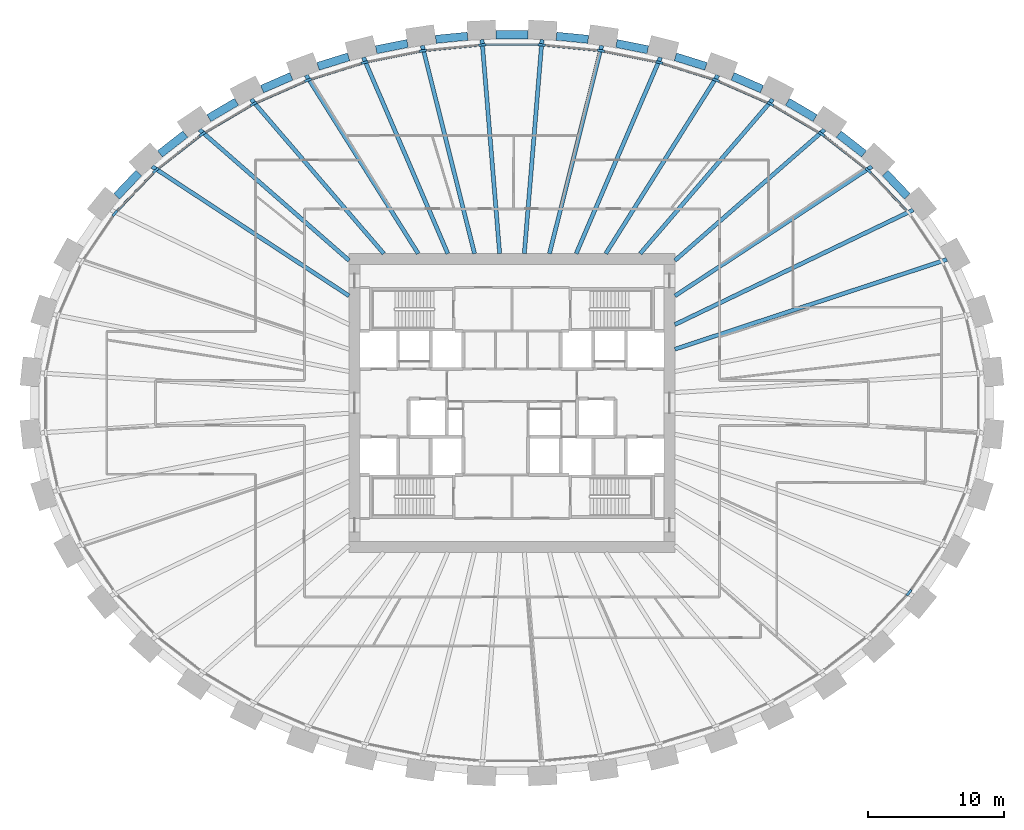
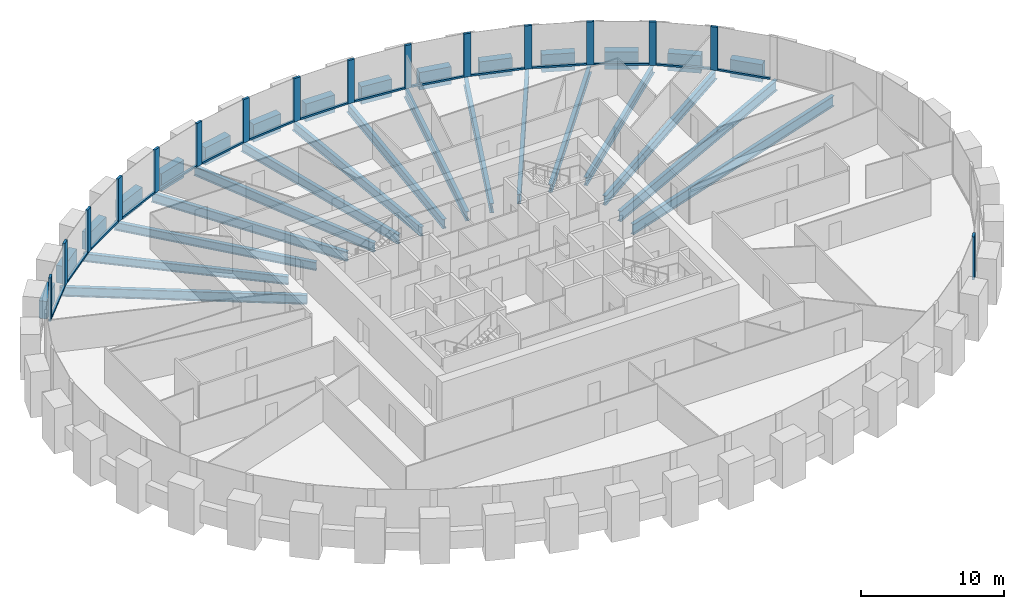
# One storey, part 3 of 11: 31 beams, 31 members, 1 element without a shape of its own.
"""IFC4 building model written with IfcOpenShell, lengths in metres."""

from ifc_helpers import new_model, si_unit, direction, frame, origin, origin_2d, place, context, subcontext, project, spatial, rectangle, i_section, extrude, source, transform, mapped, material, material_profile, profile_set, type_object, element, aggregate, save


model = new_model("IFC4")

# Units and contexts
model_context = context("Model", 3, precision=1e-05, world=origin(), true_north=direction((0.0, 1.0)))
body_context = subcontext(model_context, "Body", "Model", "MODEL_VIEW")
ifc_project = project(units=[si_unit("LENGTHUNIT", "METRE"), si_unit("AREAUNIT", "SQUARE_METRE"), si_unit("VOLUMEUNIT", "CUBIC_METRE"), si_unit("PLANEANGLEUNIT", "RADIAN"), si_unit("MASSUNIT", "GRAM", prefix="KILO")], contexts=[model_context])

# Site, building, storey
site_placement = place(None, origin())
site = spatial("IfcSite", under=ifc_project, at=site_placement, CompositionType="ELEMENT")
building_placement = place(site_placement, origin())
building = spatial("IfcBuilding", under=site, at=building_placement, Name="Embergate Tower", CompositionType="ELEMENT")
storey_placement = place(building_placement, frame((0.0, 0.0, 215.10009765625)))
storey = spatial("IfcBuildingStorey", under=building, at=storey_placement, Name="L49", CompositionType="ELEMENT", Elevation=215.10009765625)

# Beams
ifc_material_1 = material(Name="Concrete C60", Category="concrete")
ifc_material_profile_1 = material_profile(ifc_material_1, rectangle(XDim=0.60009765625, YDim=1.5, at=origin_2d()), Name="RC 600x1500")
ifc_profile_set_1 = profile_set([ifc_material_profile_1], Name="Concrete C60")
beam_type_1 = type_object("IfcBeamType", Name="Spandrel beam RC 600x1500 C60", PredefinedType="BEAM", material=ifc_profile_set_1)
shared_shape_1 = source(origin(), body_context, "Body", "SweptSolid", [
    extrude(rectangle(XDim=0.60009765625, YDim=1.5, at=origin_2d()), origin(), (0.0, 0.0, 1.0), 2.370849609375),
])
for number, where, z_axis, x_axis, name in (
    (1, (29.1240234375, 15.220947265625, 0.0), (-0.690017631866, 0.723792558482, 0.0), (-0.723792558482, -0.690017631866, 0.0), "SPN-L49-03"),
    (2, (-27.488037109375, 16.93701171875, 0.0), (-0.690017631866, -0.723792558482, 0.0), (0.723792558482, -0.690017631866, 0.0), "SPN-L49-17"),
):
    element("IfcBeam", number, at=place(storey_placement, frame(where, z_axis=z_axis, x_axis=x_axis)), inside=storey, type_object=beam_type_1, Name=name, PredefinedType="BEAM", context=body_context, shape_type="MappedRepresentation", body=[
        mapped(shared_shape_1, transform((0.0, 0.0, 0.0))),
    ])
shared_shape_2 = source(origin(), body_context, "Body", "SweptSolid", [
    extrude(rectangle(XDim=0.60009765625, YDim=1.5, at=origin_2d()), origin(), (0.0, 0.0, 1.0), 2.366943359375),
])
for number, where, z_axis, x_axis, name in (
    (3, (25.931884765625, 18.345947265625, 0.0), (-0.788379233054, 0.615189552, 0.0), (-0.615189552, -0.788379233054, 0.0), "SPN-L49-04"),
    (4, (-24.06591796875, 19.802001953125, 0.0), (-0.788379233054, -0.615189552, 0.0), (0.615189552, -0.788379233054, 0.0), "SPN-L49-16"),
):
    element("IfcBeam", number, at=place(storey_placement, frame(where, z_axis=z_axis, x_axis=x_axis)), inside=storey, type_object=beam_type_1, Name=name, PredefinedType="BEAM", context=body_context, shape_type="MappedRepresentation", body=[
        mapped(shared_shape_2, transform((0.0, 0.0, 0.0))),
    ])
shared_shape_3 = source(origin(), body_context, "Body", "SweptSolid", [
    extrude(rectangle(XDim=0.60009765625, YDim=1.5, at=origin_2d()), origin(), (0.0, 0.0, 1.0), 2.36279296875),
])
for number, where, z_axis, x_axis, name in (
    (5, (22.3291015625, 20.98291015625, 0.0), (-0.862170527893, 0.50661818052, 0.0), (-0.50661818052, -0.862170527893, 0.0), "SPN-L49-05"),
    (6, (-20.2919921875, 22.179931640625, 0.0), (-0.862170527893, -0.50661818052, 0.0), (0.50661818052, -0.862170527893, 0.0), "SPN-L49-15"),
):
    element("IfcBeam", number, at=place(storey_placement, frame(where, z_axis=z_axis, x_axis=x_axis)), inside=storey, type_object=beam_type_1, Name=name, PredefinedType="BEAM", context=body_context, shape_type="MappedRepresentation", body=[
        mapped(shared_shape_3, transform((0.0, 0.0, 0.0))),
    ])
shared_shape_4 = source(origin(), body_context, "Body", "SweptSolid", [
    extrude(rectangle(XDim=0.60009765625, YDim=1.5, at=origin_2d()), origin(), (0.0, 0.0, 1.0), 2.357421875),
])
for number, where, z_axis, x_axis, name in (
    (7, (18.4130859375, 23.116943359375, 0.0), (-0.91630938503, 0.400471111201, 0.0), (-0.400471111201, -0.91630938503, 0.0), "SPN-L49-06"),
    (8, (-16.2529296875, 24.06103515625, 0.0), (-0.91630938503, -0.400471111201, 0.0), (0.400471111201, -0.91630938503, 0.0), "SPN-L49-14"),
):
    element("IfcBeam", number, at=place(storey_placement, frame(where, z_axis=z_axis, x_axis=x_axis)), inside=storey, type_object=beam_type_1, Name=name, PredefinedType="BEAM", context=body_context, shape_type="MappedRepresentation", body=[
        mapped(shared_shape_4, transform((0.0, 0.0, 0.0))),
    ])
shared_shape_5 = source(origin(), body_context, "Body", "SweptSolid", [
    extrude(rectangle(XDim=0.60009765625, YDim=1.5, at=origin_2d()), origin(), (0.0, 0.0, 1.0), 2.3564453125),
])
for number, where, z_axis, x_axis, name in (
    (9, (14.285888671875, 24.7958984375, 0.0), (-0.95483326256, 0.297142122073, 0.0), (-0.297142122073, -0.95483326256, 0.0), "SPN-L49-07"),
    (10, (-12.035888671875, 25.49609375, 0.0), (-0.95483326256, -0.297142122073, 0.0), (0.297142122073, -0.95483326256, 0.0), "SPN-L49-13"),
):
    element("IfcBeam", number, at=place(storey_placement, frame(where, z_axis=z_axis, x_axis=x_axis)), inside=storey, type_object=beam_type_1, Name=name, PredefinedType="BEAM", context=body_context, shape_type="MappedRepresentation", body=[
        mapped(shared_shape_5, transform((0.0, 0.0, 0.0))),
    ])
shared_shape_6 = source(origin(), body_context, "Body", "SweptSolid", [
    extrude(rectangle(XDim=0.60009765625, YDim=1.5, at=origin_2d()), origin(), (0.0, 0.0, 1.0), 2.353515625),
])
for number, where, z_axis, x_axis, name in (
    (11, (10.0009765625, 26.01611328125, 0.0), (-0.980552738639, 0.196255768698, 0.0), (-0.196255768698, -0.980552738639, 0.0), "SPN-L49-08"),
    (12, (-7.693115234375, 26.47802734375, 0.0), (-0.980552738639, -0.196255768698, 0.0), (0.196255768698, -0.980552738639, 0.0), "SPN-L49-12"),
):
    element("IfcBeam", number, at=place(storey_placement, frame(where, z_axis=z_axis, x_axis=x_axis)), inside=storey, type_object=beam_type_1, Name=name, PredefinedType="BEAM", context=body_context, shape_type="MappedRepresentation", body=[
        mapped(shared_shape_6, transform((0.0, 0.0, 0.0))),
    ])
shared_shape_7 = source(origin(), body_context, "Body", "SweptSolid", [
    extrude(rectangle(XDim=0.60009765625, YDim=1.5, at=origin_2d()), origin(), (0.0, 0.0, 1.0), 2.353271484375),
])
for number, where, z_axis, x_axis, name in (
    (13, (5.615966796875, 26.7880859375, 0.0), (-0.99521330308, 0.097726564318, 0.0), (-0.097726564318, -0.99521330308, 0.0), "SPN-L49-09"),
    (14, (-3.27392578125, 27.01806640625, 0.0), (-0.99521330308, -0.097726564318, 0.0), (0.097726564318, -0.99521330308, 0.0), "SPN-L49-11"),
):
    element("IfcBeam", number, at=place(storey_placement, frame(where, z_axis=z_axis, x_axis=x_axis)), inside=storey, type_object=beam_type_1, Name=name, PredefinedType="BEAM", context=body_context, shape_type="MappedRepresentation", body=[
        mapped(shared_shape_7, transform((0.0, 0.0, 0.0))),
    ])
shared_shape_8 = source(origin(), body_context, "Body", "SweptSolid", [
    extrude(rectangle(XDim=0.60009765625, YDim=1.5, at=origin_2d()), origin(), (0.0, 0.0, 1.0), 2.35205078125),
])
beam_1_placement = place(storey_placement, frame((1.176025390625, 27.12109375, 0.0), z_axis=(-1.0, 0.0, 0.0), x_axis=(0.0, -1.0, 0.0)))
element("IfcBeam", 15, at=beam_1_placement, inside=storey, type_object=beam_type_1, Name="SPN-L49-10", PredefinedType="BEAM", context=body_context, shape_type="MappedRepresentation", body=[
    mapped(shared_shape_8, transform((0.0, 0.0, 0.0))),
])
ifc_material_2 = material(Name="Steel Q355B", Category="steel")
ifc_material_profile_2 = material_profile(ifc_material_2, i_section(OverallWidth=0.300048828125, OverallDepth=0.89990234375, WebThickness=0.01611328125, FlangeThickness=0.028076171875, FilletRadius=0.028076171875, at=origin_2d()), Name="HN 900x300x16x28")
ifc_profile_set_2 = profile_set([ifc_material_profile_2], Name="Steel Q355 grade B")
beam_type_2 = type_object("IfcBeamType", Name="Radial girder HN 900x300x16x28", PredefinedType="BEAM", material=ifc_profile_set_2)
shared_shape_9 = source(origin(), body_context, "Body", "SweptSolid", [
    extrude(i_section(OverallWidth=0.300048828125, OverallDepth=0.89990234375, WebThickness=0.01611328125, FlangeThickness=0.028076171875, FilletRadius=0.028076171875, at=origin_2d()), origin(), (0.0, 0.0, 1.0), 21.100341796875),
])
beam_2_placement = place(storey_placement, frame((32.0390625, 10.56591796875, -0.650146484375), z_axis=(-0.949698867802, -0.313164590106, 0.0), x_axis=(0.313164590106, -0.949698867802, 0.0)))
element("IfcBeam", 16, at=beam_2_placement, inside=storey, type_object=beam_type_2, Name="GIR-L49-02", PredefinedType="BEAM", context=body_context, shape_type="MappedRepresentation", body=[
    mapped(shared_shape_9, transform((0.0, 0.0, 0.0))),
])
shared_shape_10 = source(origin(), body_context, "Body", "SweptSolid", [
    extrude(i_section(OverallWidth=0.300048828125, OverallDepth=0.89990234375, WebThickness=0.01611328125, FlangeThickness=0.028076171875, FilletRadius=0.028076171875, at=origin_2d()), origin(), (0.0, 0.0, 1.0), 19.480712890625),
])
beam_3_placement = place(storey_placement, frame((29.554931640625, 14.218017578125, -0.650146484375), z_axis=(-0.901148212086, -0.433511130023, 0.0), x_axis=(0.433511130023, -0.901148212086, 0.0)))
element("IfcBeam", 17, at=beam_3_placement, inside=storey, type_object=beam_type_2, Name="GIR-L49-03", PredefinedType="BEAM", context=body_context, shape_type="MappedRepresentation", body=[
    mapped(shared_shape_10, transform((0.0, 0.0, 0.0))),
])
ifc_material_profile_3 = material_profile(ifc_material_2, i_section(OverallWidth=0.300048828125, OverallDepth=0.800048828125, WebThickness=0.013916015625, FlangeThickness=0.02587890625, FilletRadius=0.028076171875, at=origin_2d()), Name="HN 800x300x14x26")
ifc_profile_set_3 = profile_set([ifc_material_profile_3], Name="Steel Q355 grade B")
beam_type_3 = type_object("IfcBeamType", Name="Radial girder HN 800x300x14x26", PredefinedType="BEAM", material=ifc_profile_set_3)
shared_shape_11 = source(origin(), body_context, "Body", "SweptSolid", [
    extrude(i_section(OverallWidth=0.300048828125, OverallDepth=0.800048828125, WebThickness=0.013916015625, FlangeThickness=0.02587890625, FilletRadius=0.028076171875, at=origin_2d()), origin(), (0.0, 0.0, 1.0), 17.3583984375),
])
for number, where, z_axis, x_axis, name in (
    (18, (26.507080078125, 17.416015625, -0.60009765625), (-0.835738306524, -0.549127929547, 0.0), (0.549127929547, -0.835738306524, 0.0), "GIR-L49-04"),
    (19, (-26.507080078125, 17.416015625, -0.60009765625), (0.835738306524, -0.549127929547, 0.0), (0.549127929547, 0.835738306524, 0.0), "GIR-L49-17"),
):
    element("IfcBeam", number, at=place(storey_placement, frame(where, z_axis=z_axis, x_axis=x_axis)), inside=storey, type_object=beam_type_3, Name=name, PredefinedType="BEAM", context=body_context, shape_type="MappedRepresentation", body=[
        mapped(shared_shape_11, transform((0.0, 0.0, 0.0))),
    ])
ifc_material_profile_4 = material_profile(ifc_material_2, i_section(OverallWidth=0.300048828125, OverallDepth=0.699951171875, WebThickness=0.012939453125, FlangeThickness=0.02392578125, FilletRadius=0.01806640625, at=origin_2d()), Name="HN 700x300x13x24")
ifc_profile_set_4 = profile_set([ifc_material_profile_4], Name="Steel Q355 grade B")
beam_type_4 = type_object("IfcBeamType", Name="Radial girder HN 700x300x13x24", PredefinedType="BEAM", material=ifc_profile_set_4)
shared_shape_12 = source(origin(), body_context, "Body", "SweptSolid", [
    extrude(i_section(OverallWidth=0.300048828125, OverallDepth=0.699951171875, WebThickness=0.012939453125, FlangeThickness=0.02392578125, FilletRadius=0.01806640625, at=origin_2d()), origin(), (0.0, 0.0, 1.0), 14.643798828125),
])
for number, where, z_axis, x_axis, name in (
    (20, (23.02294921875, 20.134033203125, -0.550048828125), (-0.752743981282, -0.658313374195, 0.0), (0.658313374195, -0.752743981282, 0.0), "GIR-L49-05"),
    (21, (-23.02294921875, 20.134033203125, -0.550048828125), (0.752743981282, -0.658313374195, 0.0), (0.658313374195, 0.752743981282, 0.0), "GIR-L49-16"),
):
    element("IfcBeam", number, at=place(storey_placement, frame(where, z_axis=z_axis, x_axis=x_axis)), inside=storey, type_object=beam_type_4, Name=name, PredefinedType="BEAM", context=body_context, shape_type="MappedRepresentation", body=[
        mapped(shared_shape_12, transform((0.0, 0.0, 0.0))),
    ])
shared_shape_13 = source(origin(), body_context, "Body", "SweptSolid", [
    extrude(i_section(OverallWidth=0.300048828125, OverallDepth=0.699951171875, WebThickness=0.012939453125, FlangeThickness=0.02392578125, FilletRadius=0.01806640625, at=origin_2d()), origin(), (0.0, 0.0, 1.0), 14.991943359375),
])
for number, where, z_axis, x_axis, name in (
    (22, (19.212890625, 22.3740234375, -0.550048828125), (-0.651471048315, -0.758673495785, 0.0), (0.758673495785, -0.651471048315, 0.0), "GIR-L49-06"),
    (23, (-19.212890625, 22.3740234375, -0.550048828125), (0.651471048315, -0.758673495785, 0.0), (0.758673495785, 0.651471048315, 0.0), "GIR-L49-15"),
):
    element("IfcBeam", number, at=place(storey_placement, frame(where, z_axis=z_axis, x_axis=x_axis)), inside=storey, type_object=beam_type_4, Name=name, PredefinedType="BEAM", context=body_context, shape_type="MappedRepresentation", body=[
        mapped(shared_shape_13, transform((0.0, 0.0, 0.0))),
    ])
shared_shape_14 = source(origin(), body_context, "Body", "SweptSolid", [
    extrude(i_section(OverallWidth=0.300048828125, OverallDepth=0.800048828125, WebThickness=0.013916015625, FlangeThickness=0.02587890625, FilletRadius=0.028076171875, at=origin_2d()), origin(), (0.0, 0.0, 1.0), 15.522216796875),
])
for number, where, z_axis, x_axis, name in (
    (24, (15.1640625, 24.14501953125, -0.60009765625), (-0.531827158809, -0.846852922976, 0.0), (0.846852922976, -0.531827158809, 0.0), "GIR-L49-07"),
    (25, (-15.1640625, 24.14501953125, -0.60009765625), (0.531827158809, -0.846852922976, 0.0), (0.846852922976, 0.531827158809, 0.0), "GIR-L49-14"),
):
    element("IfcBeam", number, at=place(storey_placement, frame(where, z_axis=z_axis, x_axis=x_axis)), inside=storey, type_object=beam_type_3, Name=name, PredefinedType="BEAM", context=body_context, shape_type="MappedRepresentation", body=[
        mapped(shared_shape_14, transform((0.0, 0.0, 0.0))),
    ])
shared_shape_15 = source(origin(), body_context, "Body", "SweptSolid", [
    extrude(i_section(OverallWidth=0.300048828125, OverallDepth=0.800048828125, WebThickness=0.013916015625, FlangeThickness=0.02587890625, FilletRadius=0.028076171875, at=origin_2d()), origin(), (0.0, 0.0, 1.0), 15.739013671875),
])
for number, where, z_axis, x_axis, name in (
    (26, (10.943115234375, 25.4599609375, -0.60009765625), (-0.394883218824, -0.918731322799, 0.0), (0.918731322799, -0.394883218824, 0.0), "GIR-L49-08"),
    (27, (-10.943115234375, 25.4599609375, -0.60009765625), (0.394883218824, -0.918731322799, 0.0), (0.918731322799, 0.394883218824, 0.0), "GIR-L49-13"),
):
    element("IfcBeam", number, at=place(storey_placement, frame(where, z_axis=z_axis, x_axis=x_axis)), inside=storey, type_object=beam_type_3, Name=name, PredefinedType="BEAM", context=body_context, shape_type="MappedRepresentation", body=[
        mapped(shared_shape_15, transform((0.0, 0.0, 0.0))),
    ])
shared_shape_16 = source(origin(), body_context, "Body", "SweptSolid", [
    extrude(i_section(OverallWidth=0.300048828125, OverallDepth=0.800048828125, WebThickness=0.013916015625, FlangeThickness=0.02587890625, FilletRadius=0.028076171875, at=origin_2d()), origin(), (0.0, 0.0, 1.0), 15.8046875),
])
for number, where, z_axis, x_axis, name in (
    (28, (6.60888671875, 26.3291015625, -0.60009765625), (-0.243465990326, -0.969909434718, 0.0), (0.969909434718, -0.243465990326, 0.0), "GIR-L49-09"),
    (29, (-6.60888671875, 26.3291015625, -0.60009765625), (0.243465990326, -0.969909434718, 0.0), (0.969909434718, 0.243465990326, 0.0), "GIR-L49-12"),
):
    element("IfcBeam", number, at=place(storey_placement, frame(where, z_axis=z_axis, x_axis=x_axis)), inside=storey, type_object=beam_type_3, Name=name, PredefinedType="BEAM", context=body_context, shape_type="MappedRepresentation", body=[
        mapped(shared_shape_16, transform((0.0, 0.0, 0.0))),
    ])
shared_shape_17 = source(origin(), body_context, "Body", "SweptSolid", [
    extrude(i_section(OverallWidth=0.300048828125, OverallDepth=0.800048828125, WebThickness=0.013916015625, FlangeThickness=0.02587890625, FilletRadius=0.028076171875, at=origin_2d()), origin(), (0.0, 0.0, 1.0), 15.814697265625),
])
for number, where, z_axis, x_axis, name in (
    (30, (2.2099609375, 26.760986328125, -0.60009765625), (-0.082328727809, -0.99660522805, 0.0), (0.99660522805, -0.082328727809, 0.0), "GIR-L49-10"),
    (31, (-2.2099609375, 26.760986328125, -0.60009765625), (0.082328727809, -0.99660522805, 0.0), (0.99660522805, 0.082328727809, 0.0), "GIR-L49-11"),
):
    element("IfcBeam", number, at=place(storey_placement, frame(where, z_axis=z_axis, x_axis=x_axis)), inside=storey, type_object=beam_type_3, Name=name, PredefinedType="BEAM", context=body_context, shape_type="MappedRepresentation", body=[
        mapped(shared_shape_17, transform((0.0, 0.0, 0.0))),
    ])

# Curtain wall, members
ifc_material_3 = material(Name="Aluminium and glass", Category="aluminium")
curtain_wall_type = type_object("IfcCurtainWallType", Name="Recessed office glazing", PredefinedType="NOTDEFINED", material=ifc_material_3)
curtain_wall_placement = place(storey_placement, origin())
curtain_wall = element("IfcCurtainWall", 32, at=curtain_wall_placement, inside=storey, type_object=curtain_wall_type, Name="Recessed office glazing ring", ObjectType="RECESSED OFFICE GLAZING", PredefinedType="USERDEFINED")
ifc_material_4 = material(Name="Aluminium, thermally broken", Category="aluminium")
ifc_material_profile_5 = material_profile(ifc_material_4, rectangle(XDim=0.179931640625, YDim=0.52001953125, at=origin_2d()), Name="AL 520x180")
ifc_profile_set_5 = profile_set([ifc_material_profile_5], Name="Aluminium, thermally broken")
member_type_1 = type_object("IfcMemberType", Name="Office mullion", PredefinedType="MULLION", material=ifc_profile_set_5)
shared_shape_18 = source(origin(), body_context, "Body", "SweptSolid", [
    extrude(rectangle(XDim=0.179931640625, YDim=0.52001953125, at=origin_2d()), origin(), (0.0, 0.0, 1.0), 3.699951171875),
])
member_1_placement = place(storey_placement, frame((26.245361328125, 17.125732421875, 0.0), z_axis=(0.0, 0.0, 1.0), x_axis=(-0.671230415135, -0.741248763775, 0.0)))
member_1 = element("IfcMember", 33, at=member_1_placement, type_object=member_type_1, Name="CW mullion 5", PredefinedType="MULLION", context=body_context, shape_type="MappedRepresentation", body=[
    mapped(shared_shape_18, transform((0.0, 0.0, 0.0))),
])
member_2_placement = place(storey_placement, frame((22.804443359375, 19.811279296875, 0.0), z_axis=(0.0, 0.0, 1.0), x_axis=(-0.562220505278, -0.826987365953, 0.0)))
member_2 = element("IfcMember", 34, at=member_2_placement, type_object=member_type_1, Name="CW mullion 6", PredefinedType="MULLION", context=body_context, shape_type="MappedRepresentation", body=[
    mapped(shared_shape_18, transform((0.0, 0.0, 0.0))),
])
member_3_placement = place(storey_placement, frame((19.03662109375, 22.026611328125, 0.0), z_axis=(0.0, 0.0, 1.0), x_axis=(-0.454514489796, -0.890739343784, 0.0)))
member_3 = element("IfcMember", 35, at=member_3_placement, type_object=member_type_1, Name="CW mullion 7", PredefinedType="MULLION", context=body_context, shape_type="MappedRepresentation", body=[
    mapped(shared_shape_18, transform((0.0, 0.0, 0.0))),
])
member_4_placement = place(storey_placement, frame((15.02783203125, 23.779296875, 0.0), z_axis=(0.0, 0.0, 1.0), x_axis=(-0.34950595337, -0.936934143128, 0.0)))
member_4 = element("IfcMember", 36, at=member_4_placement, type_object=member_type_1, Name="CW mullion 8", PredefinedType="MULLION", context=body_context, shape_type="MappedRepresentation", body=[
    mapped(shared_shape_18, transform((0.0, 0.0, 0.0))),
])
member_5_placement = place(storey_placement, frame((10.847412109375, 25.081298828125, 0.0), z_axis=(0.0, 0.0, 1.0), x_axis=(-0.247315263593, -0.968935065107, 0.0)))
member_5 = element("IfcMember", 37, at=member_5_placement, type_object=member_type_1, Name="CW mullion 9", PredefinedType="MULLION", context=body_context, shape_type="MappedRepresentation", body=[
    mapped(shared_shape_18, transform((0.0, 0.0, 0.0))),
])
member_6_placement = place(storey_placement, frame((6.55224609375, 25.94287109375, 0.0), z_axis=(0.0, 0.0, 1.0), x_axis=(-0.14741410908, -0.98907486089, 0.0)))
member_6 = element("IfcMember", 38, at=member_6_placement, type_object=member_type_1, Name="CW mullion 10", PredefinedType="MULLION", context=body_context, shape_type="MappedRepresentation", body=[
    mapped(shared_shape_18, transform((0.0, 0.0, 0.0))),
])
member_7_placement = place(storey_placement, frame((2.191162109375, 26.37158203125, 0.0), z_axis=(0.0, 0.0, 1.0), x_axis=(-0.048971796621, -0.998800161762, 0.0)))
member_7 = element("IfcMember", 39, at=member_7_placement, type_object=member_type_1, Name="CW mullion 11", PredefinedType="MULLION", context=body_context, shape_type="MappedRepresentation", body=[
    mapped(shared_shape_18, transform((0.0, 0.0, 0.0))),
])
member_8_placement = place(storey_placement, frame((-2.191162109375, 26.37158203125, 0.0), z_axis=(0.0, 0.0, 1.0), x_axis=(0.048971796621, -0.998800161762, 0.0)))
member_8 = element("IfcMember", 40, at=member_8_placement, type_object=member_type_1, Name="CW mullion 12", PredefinedType="MULLION", context=body_context, shape_type="MappedRepresentation", body=[
    mapped(shared_shape_18, transform((0.0, 0.0, 0.0))),
])
member_9_placement = place(storey_placement, frame((-6.55224609375, 25.94287109375, 0.0), z_axis=(0.0, 0.0, 1.0), x_axis=(0.14741410908, -0.98907486089, 0.0)))
member_9 = element("IfcMember", 41, at=member_9_placement, type_object=member_type_1, Name="CW mullion 13", PredefinedType="MULLION", context=body_context, shape_type="MappedRepresentation", body=[
    mapped(shared_shape_18, transform((0.0, 0.0, 0.0))),
])
member_10_placement = place(storey_placement, frame((-10.847412109375, 25.081298828125, 0.0), z_axis=(0.0, 0.0, 1.0), x_axis=(0.247315263593, -0.968935065107, 0.0)))
member_10 = element("IfcMember", 42, at=member_10_placement, type_object=member_type_1, Name="CW mullion 14", PredefinedType="MULLION", context=body_context, shape_type="MappedRepresentation", body=[
    mapped(shared_shape_18, transform((0.0, 0.0, 0.0))),
])
member_11_placement = place(storey_placement, frame((-15.02783203125, 23.779296875, 0.0), z_axis=(0.0, 0.0, 1.0), x_axis=(0.34950595337, -0.936934143128, 0.0)))
member_11 = element("IfcMember", 43, at=member_11_placement, type_object=member_type_1, Name="CW mullion 15", PredefinedType="MULLION", context=body_context, shape_type="MappedRepresentation", body=[
    mapped(shared_shape_18, transform((0.0, 0.0, 0.0))),
])
member_12_placement = place(storey_placement, frame((-19.03662109375, 22.026611328125, 0.0), z_axis=(0.0, 0.0, 1.0), x_axis=(0.454514489796, -0.890739343784, 0.0)))
member_12 = element("IfcMember", 44, at=member_12_placement, type_object=member_type_1, Name="CW mullion 16", PredefinedType="MULLION", context=body_context, shape_type="MappedRepresentation", body=[
    mapped(shared_shape_18, transform((0.0, 0.0, 0.0))),
])
member_13_placement = place(storey_placement, frame((-22.804443359375, 19.811279296875, 0.0), z_axis=(0.0, 0.0, 1.0), x_axis=(0.562220505278, -0.826987365953, 0.0)))
member_13 = element("IfcMember", 45, at=member_13_placement, type_object=member_type_1, Name="CW mullion 17", PredefinedType="MULLION", context=body_context, shape_type="MappedRepresentation", body=[
    mapped(shared_shape_18, transform((0.0, 0.0, 0.0))),
])
member_14_placement = place(storey_placement, frame((-26.245361328125, 17.125732421875, 0.0), z_axis=(0.0, 0.0, 1.0), x_axis=(0.671230415135, -0.741248763775, 0.0)))
member_14 = element("IfcMember", 46, at=member_14_placement, type_object=member_type_1, Name="CW mullion 18", PredefinedType="MULLION", context=body_context, shape_type="MappedRepresentation", body=[
    mapped(shared_shape_18, transform((0.0, 0.0, 0.0))),
])
member_15_placement = place(storey_placement, frame((-29.25244140625, 13.972412109375, 0.0), z_axis=(0.0, 0.0, 1.0), x_axis=(0.777874757957, -0.628419335264, 0.0)))
member_15 = element("IfcMember", 47, at=member_15_placement, type_object=member_type_1, Name="CW mullion 19", PredefinedType="MULLION", context=body_context, shape_type="MappedRepresentation", body=[
    mapped(shared_shape_18, transform((0.0, 0.0, 0.0))),
])
member_16_placement = place(storey_placement, frame((29.25244140625, -13.972412109375, 0.0), z_axis=(0.0, 0.0, 1.0), x_axis=(-0.777874757957, 0.628419335264, 0.0)))
member_16 = element("IfcMember", 48, at=member_16_placement, type_object=member_type_1, Name="CW mullion 41", PredefinedType="MULLION", context=body_context, shape_type="MappedRepresentation", body=[
    mapped(shared_shape_18, transform((0.0, 0.0, 0.0))),
])
ifc_material_profile_6 = material_profile(ifc_material_4, rectangle(XDim=0.179931640625, YDim=0.14990234375, at=origin_2d()), Name="AL 150x180")
ifc_profile_set_6 = profile_set([ifc_material_profile_6], Name="Aluminium, thermally broken")
member_type_2 = type_object("IfcMemberType", Name="Office sill transom", PredefinedType="USERDEFINED", material=ifc_profile_set_6)
shared_shape_19 = source(origin(), body_context, "Body", "SweptSolid", [
    extrude(rectangle(XDim=0.179931640625, YDim=0.14990234375, at=origin_2d()), origin(), (0.0, 0.0, 1.0), 3.83740234375),
])
member_17_placement = place(storey_placement, frame((29.072998046875, 14.160400390625, 0.074951171875), z_axis=(-0.690110982846, 0.723703552123, 0.0), x_axis=(-0.723703552123, -0.690110982846, 0.0)))
member_17 = element("IfcMember", 49, at=member_17_placement, type_object=member_type_2, Name="CW transom 4.1", ObjectType="TRANSOM", PredefinedType="USERDEFINED", context=body_context, shape_type="MappedRepresentation", body=[
    mapped(shared_shape_19, transform((0.0, 0.0, 0.0))),
])
member_18_placement = place(storey_placement, frame((-26.4248046875, 16.9375, 0.074951171875), z_axis=(-0.690110982846, -0.723703552123, 0.0), x_axis=(0.723703552123, -0.690110982846, 0.0)))
member_18 = element("IfcMember", 50, at=member_18_placement, type_object=member_type_2, Name="CW transom 18.1", ObjectType="TRANSOM", PredefinedType="USERDEFINED", context=body_context, shape_type="MappedRepresentation", body=[
    mapped(shared_shape_19, transform((0.0, 0.0, 0.0))),
])
shared_shape_20 = source(origin(), body_context, "Body", "SweptSolid", [
    extrude(rectangle(XDim=0.179931640625, YDim=0.14990234375, at=origin_2d()), origin(), (0.0, 0.0, 1.0), 3.8447265625),
])
member_19_placement = place(storey_placement, frame((26.040283203125, 17.28564453125, 0.074951171875), z_axis=(-0.788284232177, 0.615311278379, 0.0), x_axis=(-0.615311278379, -0.788284232177, 0.0)))
member_19 = element("IfcMember", 51, at=member_19_placement, type_object=member_type_2, Name="CW transom 5.1", ObjectType="TRANSOM", PredefinedType="USERDEFINED", context=body_context, shape_type="MappedRepresentation", body=[
    mapped(shared_shape_20, transform((0.0, 0.0, 0.0))),
])
member_20_placement = place(storey_placement, frame((-23.009521484375, 19.6513671875, 0.074951171875), z_axis=(-0.788284232177, -0.615311278379, 0.0), x_axis=(0.615311278379, -0.788284232177, 0.0)))
member_20 = element("IfcMember", 52, at=member_20_placement, type_object=member_type_2, Name="CW transom 17.1", ObjectType="TRANSOM", PredefinedType="USERDEFINED", context=body_context, shape_type="MappedRepresentation", body=[
    mapped(shared_shape_20, transform((0.0, 0.0, 0.0))),
])
shared_shape_21 = source(origin(), body_context, "Body", "SweptSolid", [
    extrude(rectangle(XDim=0.179931640625, YDim=0.14990234375, at=origin_2d()), origin(), (0.0, 0.0, 1.0), 3.850830078125),
])
member_21_placement = place(storey_placement, frame((22.580322265625, 19.943115234375, 0.074951171875), z_axis=(-0.862051539353, 0.506820622607, 0.0), x_axis=(-0.506820622607, -0.862051539353, 0.0)))
member_21 = element("IfcMember", 53, at=member_21_placement, type_object=member_type_2, Name="CW transom 6.1", ObjectType="TRANSOM", PredefinedType="USERDEFINED", context=body_context, shape_type="MappedRepresentation", body=[
    mapped(shared_shape_21, transform((0.0, 0.0, 0.0))),
])
member_22_placement = place(storey_placement, frame((-19.2607421875, 21.894775390625, 0.074951171875), z_axis=(-0.862051539353, -0.506820622607, 0.0), x_axis=(0.506820622607, -0.862051539353, 0.0)))
member_22 = element("IfcMember", 54, at=member_22_placement, type_object=member_type_2, Name="CW transom 16.1", ObjectType="TRANSOM", PredefinedType="USERDEFINED", context=body_context, shape_type="MappedRepresentation", body=[
    mapped(shared_shape_21, transform((0.0, 0.0, 0.0))),
])
shared_shape_22 = source(origin(), body_context, "Body", "SweptSolid", [
    extrude(rectangle(XDim=0.179931640625, YDim=0.14990234375, at=origin_2d()), origin(), (0.0, 0.0, 1.0), 3.855224609375),
])
member_23_placement = place(storey_placement, frame((18.79833984375, 22.130615234375, 0.074951171875), z_axis=(-0.916221273565, 0.400672656749, 0.0), x_axis=(-0.400672656749, -0.916221273565, 0.0)))
member_23 = element("IfcMember", 55, at=member_23_placement, type_object=member_type_2, Name="CW transom 7.1", ObjectType="TRANSOM", PredefinedType="USERDEFINED", context=body_context, shape_type="MappedRepresentation", body=[
    mapped(shared_shape_22, transform((0.0, 0.0, 0.0))),
])
member_24_placement = place(storey_placement, frame((-15.26611328125, 23.67529296875, 0.074951171875), z_axis=(-0.916221273565, -0.400672656749, 0.0), x_axis=(0.400672656749, -0.916221273565, 0.0)))
member_24 = element("IfcMember", 56, at=member_24_placement, type_object=member_type_2, Name="CW transom 15.1", ObjectType="TRANSOM", PredefinedType="USERDEFINED", context=body_context, shape_type="MappedRepresentation", body=[
    mapped(shared_shape_22, transform((0.0, 0.0, 0.0))),
])
shared_shape_23 = source(origin(), body_context, "Body", "SweptSolid", [
    extrude(rectangle(XDim=0.179931640625, YDim=0.14990234375, at=origin_2d()), origin(), (0.0, 0.0, 1.0), 3.8583984375),
])
member_25_placement = place(storey_placement, frame((14.779541015625, 23.856689453125, 0.074951171875), z_axis=(-0.954755412544, 0.297392169061, 0.0), x_axis=(-0.297392169061, -0.954755412544, 0.0)))
member_25 = element("IfcMember", 57, at=member_25_placement, type_object=member_type_2, Name="CW transom 8.1", ObjectType="TRANSOM", PredefinedType="USERDEFINED", context=body_context, shape_type="MappedRepresentation", body=[
    mapped(shared_shape_23, transform((0.0, 0.0, 0.0))),
])
member_26_placement = place(storey_placement, frame((-11.095703125, 25.004150390625, 0.074951171875), z_axis=(-0.954755412544, -0.297392169061, 0.0), x_axis=(0.297392169061, -0.954755412544, 0.0)))
member_26 = element("IfcMember", 58, at=member_26_placement, type_object=member_type_2, Name="CW transom 14.1", ObjectType="TRANSOM", PredefinedType="USERDEFINED", context=body_context, shape_type="MappedRepresentation", body=[
    mapped(shared_shape_23, transform((0.0, 0.0, 0.0))),
])
shared_shape_24 = source(origin(), body_context, "Body", "SweptSolid", [
    extrude(rectangle(XDim=0.179931640625, YDim=0.14990234375, at=origin_2d()), origin(), (0.0, 0.0, 1.0), 3.860595703125),
])
member_27_placement = place(storey_placement, frame((10.59228515625, 25.132568359375, 0.074951171875), z_axis=(-0.980480823499, 0.196614736859, 0.0), x_axis=(-0.196614736859, -0.980480823499, 0.0)))
member_27 = element("IfcMember", 59, at=member_27_placement, type_object=member_type_2, Name="CW transom 9.1", ObjectType="TRANSOM", PredefinedType="USERDEFINED", context=body_context, shape_type="MappedRepresentation", body=[
    mapped(shared_shape_24, transform((0.0, 0.0, 0.0))),
])
member_28_placement = place(storey_placement, frame((-6.80712890625, 25.8916015625, 0.074951171875), z_axis=(-0.980480823499, -0.196614736859, 0.0), x_axis=(0.196614736859, -0.980480823499, 0.0)))
member_28 = element("IfcMember", 60, at=member_28_placement, type_object=member_type_2, Name="CW transom 13.1", ObjectType="TRANSOM", PredefinedType="USERDEFINED", context=body_context, shape_type="MappedRepresentation", body=[
    mapped(shared_shape_24, transform((0.0, 0.0, 0.0))),
])
shared_shape_25 = source(origin(), body_context, "Body", "SweptSolid", [
    extrude(rectangle(XDim=0.179931640625, YDim=0.14990234375, at=origin_2d()), origin(), (0.0, 0.0, 1.0), 3.862060546875),
])
member_29_placement = place(storey_placement, frame((6.29345703125, 25.96826171875, 0.074951171875), z_axis=(-0.995200439085, 0.097857478225, 0.0), x_axis=(-0.097857478225, -0.995200439085, 0.0)))
member_29 = element("IfcMember", 61, at=member_29_placement, type_object=member_type_2, Name="CW transom 10.1", ObjectType="TRANSOM", PredefinedType="USERDEFINED", context=body_context, shape_type="MappedRepresentation", body=[
    mapped(shared_shape_25, transform((0.0, 0.0, 0.0))),
])
member_30_placement = place(storey_placement, frame((-2.449951171875, 26.34619140625, 0.074951171875), z_axis=(-0.995200439085, -0.097857478225, 0.0), x_axis=(0.097857478225, -0.995200439085, 0.0)))
member_30 = element("IfcMember", 62, at=member_30_placement, type_object=member_type_2, Name="CW transom 12.1", ObjectType="TRANSOM", PredefinedType="USERDEFINED", context=body_context, shape_type="MappedRepresentation", body=[
    mapped(shared_shape_25, transform((0.0, 0.0, 0.0))),
])
shared_shape_26 = source(origin(), body_context, "Body", "SweptSolid", [
    extrude(rectangle(XDim=0.179931640625, YDim=0.14990234375, at=origin_2d()), origin(), (0.0, 0.0, 1.0), 3.8623046875),
])
member_31_placement = place(storey_placement, frame((1.93115234375, 26.37158203125, 0.074951171875), z_axis=(-1.0, 0.0, 0.0), x_axis=(0.0, -1.0, 0.0)))
member_31 = element("IfcMember", 63, at=member_31_placement, type_object=member_type_2, Name="CW transom 11.1", ObjectType="TRANSOM", PredefinedType="USERDEFINED", context=body_context, shape_type="MappedRepresentation", body=[
    mapped(shared_shape_26, transform((0.0, 0.0, 0.0))),
])
aggregate(curtain_wall, [member_1, member_2, member_3, member_4, member_5, member_6, member_7, member_8, member_9, member_10, member_11, member_12, member_13, member_14, member_15, member_16, member_17, member_19, member_21, member_23, member_25, member_27, member_29, member_31, member_30, member_28, member_26, member_24, member_22, member_20, member_18])

save(model, "model.ifc")
